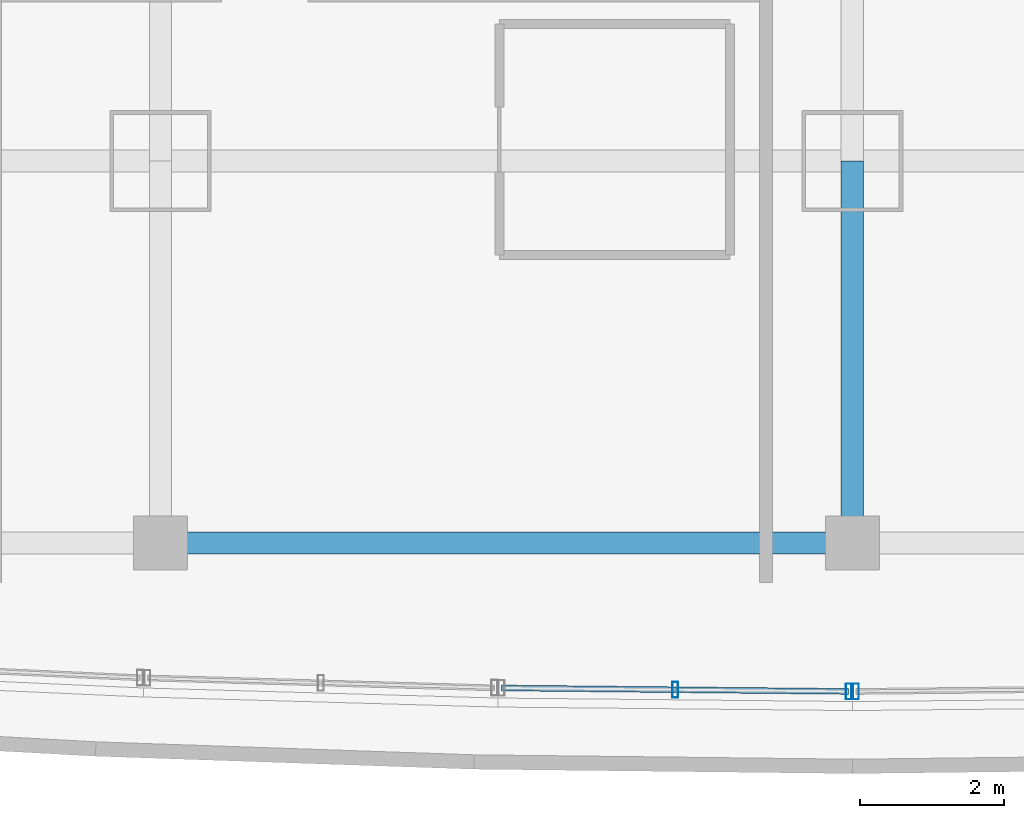
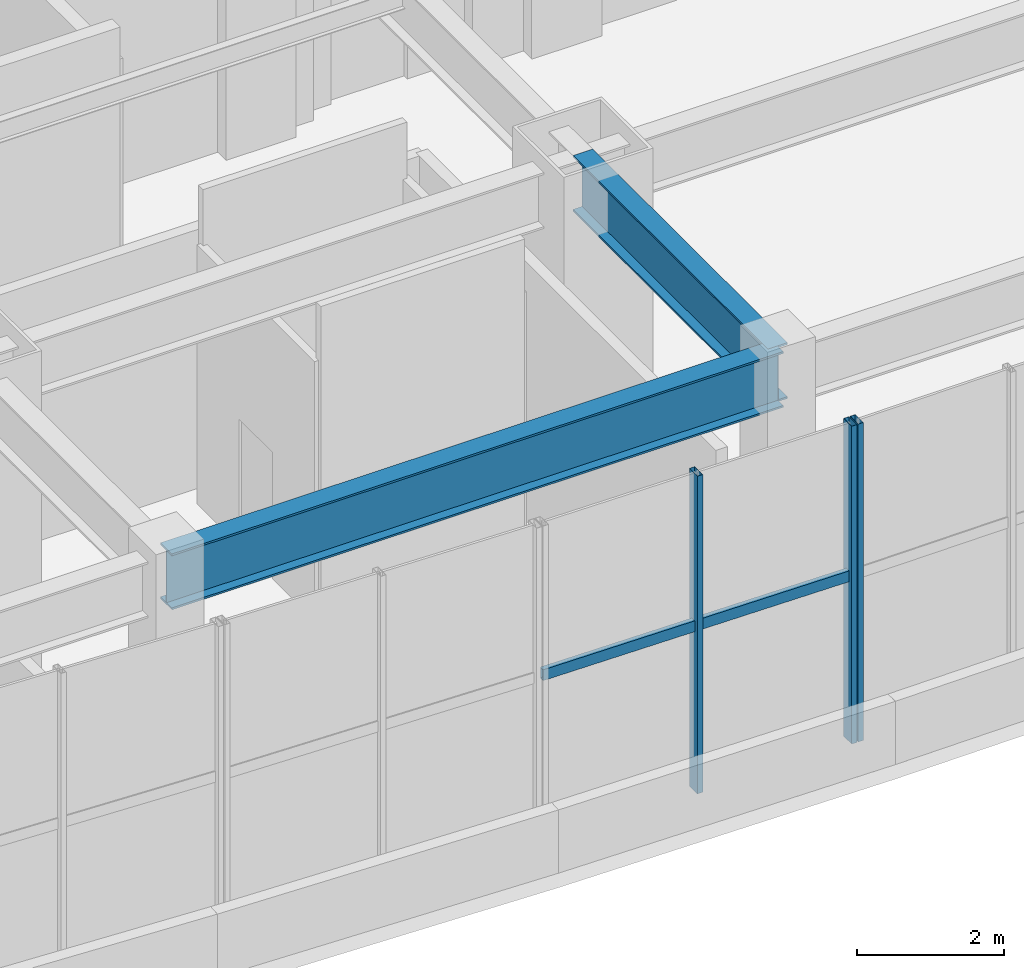
# One storey, part 5 of 24: 4 members, 2 beams, 2 elements without a shape of their own.
"""IFC4 building model written with IfcOpenShell, lengths in metres."""

from ifc_helpers import new_model, si_unit, direction, frame, origin, origin_2d, place, context, subcontext, project, spatial, hollow_rectangle, i_section, extrude, material, layer, layer_set, material_profile, profile_set, type_object, element, aggregate, save


model = new_model("IFC4")

# Units and contexts
model_context = context("Model", 3, precision=1e-05, world=origin(), true_north=direction((0.0, 1.0)))
body_context = subcontext(model_context, "Body", "Model", "MODEL_VIEW")
ifc_project = project(units=[si_unit("LENGTHUNIT", "METRE"), si_unit("AREAUNIT", "SQUARE_METRE"), si_unit("VOLUMEUNIT", "CUBIC_METRE"), si_unit("PLANEANGLEUNIT", "RADIAN"), si_unit("MASSUNIT", "GRAM", prefix="KILO")], contexts=[model_context])

# Site, building, storey
site_placement = place(None, origin())
site = spatial("IfcSite", under=ifc_project, at=site_placement, CompositionType="ELEMENT")
building_placement = place(site_placement, origin())
building = spatial("IfcBuilding", under=site, at=building_placement, Name="Vantalir Tower", CompositionType="ELEMENT")
storey_placement = place(building_placement, frame((0.0, 0.0, 16.0)))
storey = spatial("IfcBuildingStorey", under=building, at=storey_placement, Name="L03", CompositionType="ELEMENT", Elevation=16.0)

# Beams
ifc_material_1 = material(Name="Steel S355", Category="steel")
ifc_material_profile_1 = material_profile(ifc_material_1, i_section(OverallWidth=0.30810546875, OverallDepth=0.927001953125, WebThickness=0.01953125, FlangeThickness=0.031982421875, at=origin_2d()), Name="Steel S355")
ifc_profile_set_1 = profile_set([ifc_material_profile_1], Name="Steel S355")
beam_type = type_object("IfcBeamType", Name="BM-PG-914x305", PredefinedType="USERDEFINED", material=ifc_profile_set_1)
beam_1_placement = place(storey_placement, frame((21.89990234375, 3.199951171875, 4.785888671875), z_axis=(1.0, 0.0, 0.0), x_axis=(0.0, 1.0, 0.0)))
element("IfcBeam", 1, at=beam_1_placement, inside=storey, type_object=beam_type, Name="L03 Podium E-W Girder 03", ObjectType="GIRDER", PredefinedType="USERDEFINED", context=body_context, shape_type="SweptSolid", body=[
    extrude(i_section(OverallWidth=0.30810546875, OverallDepth=0.927001953125, WebThickness=0.01953125, FlangeThickness=0.031982421875, at=origin_2d()), origin(), (0.0, 0.0, 1.0), 9.60009765625),
])
beam_2_placement = place(storey_placement, frame((31.5, 3.199951171875, 4.785888671875), z_axis=(0.0, 1.0, 0.0), x_axis=(-1.0, 0.0, 0.0)))
element("IfcBeam", 2, at=beam_2_placement, inside=storey, type_object=beam_type, Name="L03 Podium N-S Girder 59", ObjectType="GIRDER", PredefinedType="USERDEFINED", context=body_context, shape_type="SweptSolid", body=[
    extrude(i_section(OverallWidth=0.30810546875, OverallDepth=0.927001953125, WebThickness=0.01953125, FlangeThickness=0.031982421875, at=origin_2d()), origin(), (0.0, 0.0, 1.0), 5.300048828125),
])

# Curtain wall, members
ifc_material_2 = material(Name="Champagne-silver PVDF aluminium and double-silver Low-E glass", Category="aluminium")
ifc_layer = layer(ifc_material_2, 0.239990234375)
ifc_layer_set = layer_set([ifc_layer], Name="Champagne-silver PVDF aluminium and double-silver Low-E glass")
curtain_wall_type = type_object("IfcCurtainWallType", Name="CW-PODIUM-WF", PredefinedType="USERDEFINED", material=ifc_layer_set)
curtain_wall_1_placement = place(storey_placement, origin())
curtain_wall_1 = element("IfcCurtainWall", 3, at=curtain_wall_1_placement, inside=storey, type_object=curtain_wall_type, Name="L03 Waterfront Stick Curtain Wall 06", ObjectType="STICK CURTAIN WALL", PredefinedType="USERDEFINED")
ifc_material_3 = material(Name="Champagne-silver PVDF aluminium 6063-T6", Category="aluminium")
ifc_material_profile_2 = material_profile(ifc_material_3, hollow_rectangle(XDim=0.0849609375, YDim=0.219970703125, WallThickness=0.0048828125, at=origin_2d()), Name="Champagne-silver PVDF aluminium 6063-T6")
ifc_profile_set_2 = profile_set([ifc_material_profile_2], Name="Champagne-silver PVDF aluminium 6063-T6")
member_type_1 = type_object("IfcMemberType", Name="CWM-220x85", PredefinedType="MULLION", material=ifc_profile_set_2)
member_1_placement = place(storey_placement, frame((29.0419921875, 1.1640625, -0.011962890625), z_axis=(0.0, 0.0, 1.0), x_axis=(1.0, 0.0, 0.0)))
member_1 = element("IfcMember", 4, at=member_1_placement, type_object=member_type_1, Name="CW-L03-WF-06 Mullion 2", PredefinedType="MULLION", context=body_context, shape_type="SweptSolid", body=[
    extrude(hollow_rectangle(XDim=0.0849609375, YDim=0.219970703125, WallThickness=0.0048828125, at=origin_2d()), origin(), (0.0, 0.0, 1.0), 5.27392578125),
])
member_2_placement = place(storey_placement, frame((31.449951171875, 1.139892578125, -0.011962890625), z_axis=(0.0, 0.0, 1.0), x_axis=(1.0, 0.0, 0.0)))
member_2 = element("IfcMember", 5, at=member_2_placement, type_object=member_type_1, Name="CW-L03-WF-06 Mullion 3", PredefinedType="MULLION", context=body_context, shape_type="SweptSolid", body=[
    extrude(hollow_rectangle(XDim=0.0849609375, YDim=0.219970703125, WallThickness=0.0048828125, at=origin_2d()), origin(), (0.0, 0.0, 1.0), 5.27392578125),
])

# Curtain wall, member
curtain_wall_2_placement = place(storey_placement, origin())
curtain_wall_2 = element("IfcCurtainWall", 6, at=curtain_wall_2_placement, inside=storey, type_object=curtain_wall_type, Name="L03 Waterfront Stick Curtain Wall 07", ObjectType="STICK CURTAIN WALL", PredefinedType="USERDEFINED")
member_3_placement = place(storey_placement, frame((31.550048828125, 1.139892578125, -0.011962890625), z_axis=(0.0, 0.0, 1.0), x_axis=(1.0, 0.0, 0.0)))
member_3 = element("IfcMember", 7, at=member_3_placement, type_object=member_type_1, Name="CW-L03-WF-07 Mullion 1", PredefinedType="MULLION", context=body_context, shape_type="SweptSolid", body=[
    extrude(hollow_rectangle(XDim=0.0849609375, YDim=0.219970703125, WallThickness=0.0048828125, at=origin_2d()), origin(), (0.0, 0.0, 1.0), 5.27392578125),
])
aggregate(curtain_wall_2, [member_3])

# Member
ifc_material_profile_3 = material_profile(ifc_material_3, hollow_rectangle(XDim=0.080078125, YDim=0.179931640625, WallThickness=0.0048828125, at=origin_2d()), Name="Champagne-silver PVDF aluminium 6063-T6")
ifc_profile_set_3 = profile_set([ifc_material_profile_3], Name="Champagne-silver PVDF aluminium 6063-T6")
member_type_2 = type_object("IfcMemberType", Name="CWT-180x80", PredefinedType="USERDEFINED", material=ifc_profile_set_3)
member_4_placement = place(storey_placement, frame((26.633056640625, 1.18798828125, 2.72998046875), z_axis=(0.999950155664, -0.009984297043, 0.0), x_axis=(0.009984297043, 0.999950155664, 0.0)))
member_4 = element("IfcMember", 8, at=member_4_placement, type_object=member_type_2, Name="CW-L03-WF-06 Transom 1", ObjectType="TRANSOM", PredefinedType="USERDEFINED", context=body_context, shape_type="SweptSolid", body=[
    extrude(hollow_rectangle(XDim=0.080078125, YDim=0.179931640625, WallThickness=0.0048828125, at=origin_2d()), origin(), (0.0, 0.0, 1.0), 4.817138671875),
])

aggregate(curtain_wall_1, [member_1, member_2, member_4])

save(model, "model.ifc")
